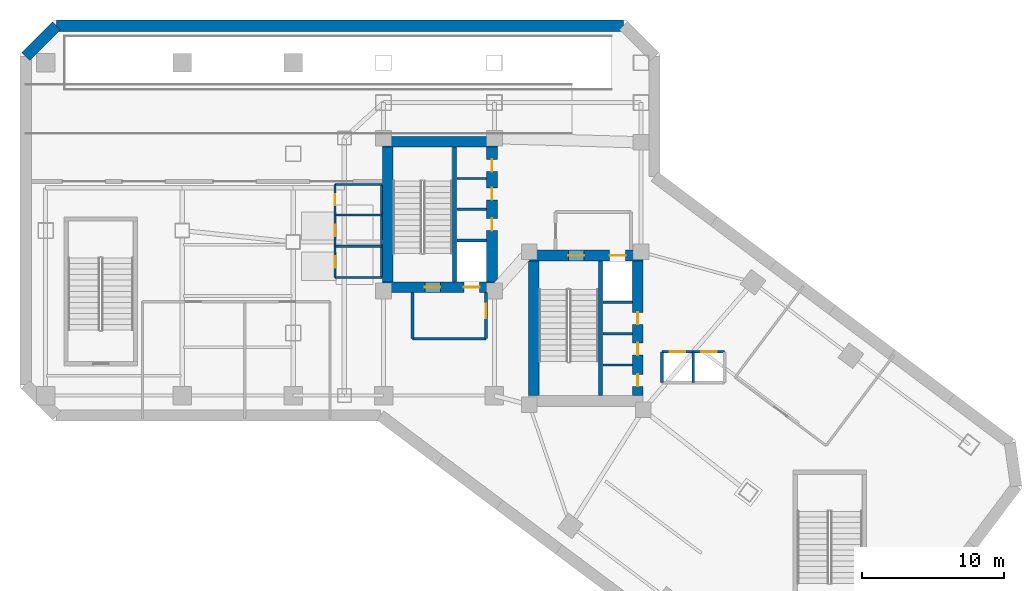
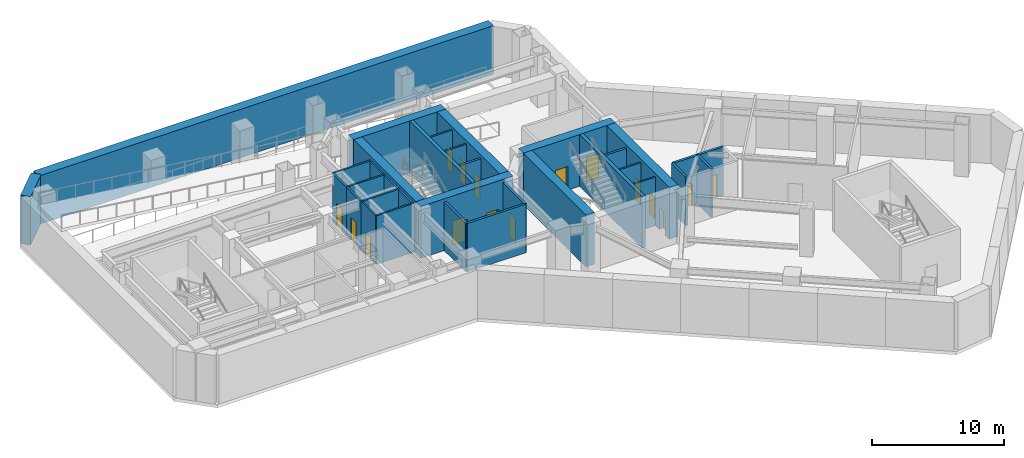
# One storey, part 4 of 9: 31 walls, 16 doors, 16 openings.
"""IFC4 building model written with IfcOpenShell, lengths in metres."""

import ifcopenshell
import ifcopenshell.guid

model = None  # the IFC model being written
_history = None  # IfcOwnerHistory: only IFC2X3 demands one
_inside = {}  # id of a spatial element -> (the spatial element, [elements in it])
_under = {}  # id of a project, library or spatial element -> (it, [spatial elements below it])
_declared = {}  # id of a project -> (the project, [libraries it declares])
_typed = {}  # id of a type object -> (the type object, [elements of that type])
_made_of = {}  # id of a material, layer set ... -> (it, [elements and type objects made of it])


def new_model(schema):
    """Start an empty IFC model of exactly this schema.

    Asked for "IFC4X3", IfcOpenShell would pick the latest addendum, in which some entities
    have other attributes; the version numbers below select the first issue.
    IFC2X3 requires an IfcOwnerHistory on every rooted entity: one is made here for all.
    """
    global model, _history
    if schema == "IFC4X3":
        model = ifcopenshell.file(schema_version=(4, 3, 0, 0))
    else:
        model = ifcopenshell.file(schema=schema)
    _inside.clear()
    _under.clear()
    _declared.clear()
    _typed.clear()
    _made_of.clear()
    _history = None
    if model.schema == "IFC2X3":
        org = make("IfcOrganization", Name="unknown")
        user = make(
            "IfcPersonAndOrganization",
            ThePerson=make("IfcPerson", FamilyName="unknown"),
            TheOrganization=org,
        )
        app = make(
            "IfcApplication",
            ApplicationDeveloper=org,
            Version="unknown",
            ApplicationFullName="unknown",
            ApplicationIdentifier="unknown",
        )
        _history = make(
            "IfcOwnerHistory",
            OwningUser=user,
            OwningApplication=app,
            ChangeAction="ADDED",
            CreationDate=0,
        )
    return model


def make(cls, **values):
    """One entity of the class cls with the attributes given. An attribute that is None is left unset."""
    return model.create_entity(
        cls, **{name: value for name, value in values.items() if value is not None}
    )


def rooted(cls, **values):
    """An entity with a GlobalId (a new one), such as an element, a storey or a relation."""
    return make(cls, GlobalId=ifcopenshell.guid.new(), OwnerHistory=_history, **values)


def si_unit(unit_type, name, prefix=None):
    """IfcSIUnit, for example si_unit("LENGTHUNIT", "METRE", prefix="MILLI")."""
    return make("IfcSIUnit", UnitType=unit_type, Prefix=prefix, Name=name)


def assignment(units):
    """IfcUnitAssignment: the units of a project."""
    return None if units is None else make("IfcUnitAssignment", Units=units)


def point(xyz):
    """IfcCartesianPoint."""
    return None if xyz is None else make("IfcCartesianPoint", Coordinates=xyz)


def direction(xyz):
    """IfcDirection."""
    return None if xyz is None else make("IfcDirection", DirectionRatios=xyz)


def frame(location, z_axis=None, x_axis=None):
    """IfcAxis2Placement3D, a coordinate frame: its origin and axes. An axis left out is left unset."""
    return make(
        "IfcAxis2Placement3D",
        Location=point(location),
        Axis=direction(z_axis),
        RefDirection=direction(x_axis),
    )


def frame_2d(location, x_axis=None):
    """IfcAxis2Placement2D, a coordinate frame in the plane: its origin and x axis."""
    return make(
        "IfcAxis2Placement2D", Location=point(location), RefDirection=direction(x_axis)
    )


def origin():
    """The frame at (0, 0, 0) with its axes left unset."""
    return frame((0.0, 0.0, 0.0))


def place(relative_to, where):
    """IfcLocalPlacement: puts the frame where relative to a parent placement (None: the world)."""
    return make(
        "IfcLocalPlacement", PlacementRelTo=relative_to, RelativePlacement=where
    )


def context(
    kind, dimensions, precision=None, world=None, true_north=None, identifier=None
):
    """IfcGeometricRepresentationContext, for example the 3D "Model" context."""
    return make(
        "IfcGeometricRepresentationContext",
        ContextIdentifier=identifier,
        ContextType=kind,
        CoordinateSpaceDimension=dimensions,
        Precision=precision,
        WorldCoordinateSystem=world,
        TrueNorth=true_north,
    )


def subcontext(parent, identifier, kind, view, scale=None):
    """IfcGeometricRepresentationSubContext, for example "Body" below "Model"."""
    return make(
        "IfcGeometricRepresentationSubContext",
        ContextIdentifier=identifier,
        ContextType=kind,
        ParentContext=parent,
        TargetScale=scale,
        TargetView=view,
    )


def project(units=None, contexts=None):
    """IfcProject with its units and contexts."""
    return rooted(
        "IfcProject",
        Name="project",
        RepresentationContexts=contexts,
        UnitsInContext=assignment(units),
    )


def spatial(cls, under=None, at=None, **own):
    """A site, building, storey or space (cls), placed at a placement, below another one or the project."""
    s = rooted(cls, ObjectPlacement=at, **own)
    if under is not None:
        _under.setdefault(under.id(), (under, []))[1].append(s)
    return s


def profile(cls, at=None, kind="AREA", **sizes):
    """A parametric profile (cls). Its sizes go by their IFC names, for example OverallWidth=200.0."""
    return make(cls, ProfileType=kind, Position=at, **sizes)


def rectangle(**sizes):
    """IfcRectangleProfileDef."""
    return profile("IfcRectangleProfileDef", **sizes)


def extrude(swept, where, along, depth):
    """IfcExtrudedAreaSolid: the profile swept, set in the frame where, extruded along a direction by depth."""
    return make(
        "IfcExtrudedAreaSolid",
        SweptArea=swept,
        Position=where,
        ExtrudedDirection=direction(along),
        Depth=depth,
    )


def shape(context_of_items, identifier, shape_type, items):
    """IfcShapeRepresentation: the items that make up one representation, for example the "Body"."""
    return make(
        "IfcShapeRepresentation",
        ContextOfItems=context_of_items,
        RepresentationIdentifier=identifier,
        RepresentationType=shape_type,
        Items=items,
    )


def material(Name=None, Category=None):
    """IfcMaterial."""
    return make("IfcMaterial", Name=Name, Category=Category)


def layer(
    of_material, thickness, ventilated=None, Name=None, Category=None, Priority=None
):
    """IfcMaterialLayer: one layer of a wall or slab, of a material (None: an air gap)."""
    return make(
        "IfcMaterialLayer",
        Material=of_material,
        LayerThickness=thickness,
        IsVentilated=ventilated,
        Name=Name,
        Category=Category,
        Priority=Priority,
    )


def layer_set(layers, Name=None):
    """IfcMaterialLayerSet."""
    return make("IfcMaterialLayerSet", MaterialLayers=layers, LayerSetName=Name)


def made_of(thing, what):
    """Note that an element or type object is made of a material, layer set ...; save() writes the relation."""
    if what is not None:
        _made_of.setdefault(what.id(), (what, []))[1].append(thing)
    return thing


def type_object(cls, material=None, **own):
    """A type object (cls), such as IfcWallType, which elements share."""
    return made_of(rooted(cls, **own), material)


def element(
    cls,
    number,
    at=None,
    inside=None,
    cuts=None,
    type_object=None,
    material=None,
    context=None,
    identifier="Body",
    shape_type=None,
    held_by="IfcProductDefinitionShape",
    body=None,
    shapes=None,
    **own,
):
    """One element of the class cls, such as IfcWall. Its Tag is "e" and its number.

    at: its placement. inside: the storey or other place that contains it. cuts: it is an
    opening in that element (IfcRelVoidsElement). A single representation is given by context,
    identifier, shape_type and body (its items); several are given by shapes. held_by: the class
    of the entity that holds the representations. save() writes the other relations.
    """
    e = rooted(cls, Tag="e%d" % number, ObjectPlacement=at, **own)
    if body is not None:
        shapes = [shape(context, identifier, shape_type, body)]
    if shapes is not None:
        e.Representation = make(held_by, Representations=shapes)
    if inside is not None:
        _inside.setdefault(inside.id(), (inside, []))[1].append(e)
    if cuts is not None:
        rooted(
            "IfcRelVoidsElement", RelatingBuildingElement=cuts, RelatedOpeningElement=e
        )
    if type_object is not None:
        _typed.setdefault(type_object.id(), (type_object, []))[1].append(e)
    return made_of(e, material)


def fill(opening, filler):
    """IfcRelFillsElement: the door or window that sits in an opening."""
    return rooted(
        "IfcRelFillsElement",
        RelatingOpeningElement=opening,
        RelatedBuildingElement=filler,
    )


def aggregate(whole, parts):
    """IfcRelAggregates: a whole, such as a stair, and the parts it consists of."""
    return rooted("IfcRelAggregates", RelatingObject=whole, RelatedObjects=parts)


def save(model, path):
    """Write the relations noted so far, then the file.

    IfcRelAggregates (storeys below a building ...), IfcRelContainedInSpatialStructure (elements
    in a storey), IfcRelDefinesByType, IfcRelAssociatesMaterial and IfcRelDeclares: one each for
    every whole, place, type object, material and project.
    """
    for whole, parts in _under.values():
        aggregate(whole, parts)
    for where, things in _inside.values():
        rooted(
            "IfcRelContainedInSpatialStructure",
            RelatedElements=things,
            RelatingStructure=where,
        )
    for kind, things in _typed.values():
        rooted("IfcRelDefinesByType", RelatedObjects=things, RelatingType=kind)
    for what, things in _made_of.values():
        rooted("IfcRelAssociatesMaterial", RelatedObjects=things, RelatingMaterial=what)
    for by, libraries in _declared.values():
        rooted("IfcRelDeclares", RelatingContext=by, RelatedDefinitions=libraries)
    model.write(path)


model = new_model("IFC4")

# Units and contexts
model_context = context("Model", 3, precision=1e-05, world=origin(), true_north=direction((0.0, 1.0)))
body_context = subcontext(model_context, "Body", "Model", "MODEL_VIEW")
ifc_project = project(units=[si_unit("LENGTHUNIT", "METRE"), si_unit("AREAUNIT", "SQUARE_METRE"), si_unit("VOLUMEUNIT", "CUBIC_METRE"), si_unit("PLANEANGLEUNIT", "RADIAN"), si_unit("MASSUNIT", "GRAM", prefix="KILO")], contexts=[model_context])

# Site, building, storey
site_placement = place(None, origin())
site = spatial("IfcSite", under=ifc_project, at=site_placement, CompositionType="ELEMENT")
building_placement = place(site_placement, origin())
building = spatial("IfcBuilding", under=site, at=building_placement, Name="Hatsunagi Terrace Concourse", CompositionType="ELEMENT")
storey_placement = place(building_placement, frame((0.0, 0.0, -4.800048828125)))
storey = spatial("IfcBuildingStorey", under=building, at=storey_placement, Name="B01", CompositionType="ELEMENT", Elevation=-4.800048828125)

# Walls
ifc_material_1 = material(Name="Concrete Fc48", Category="concrete")
ifc_layer_1 = layer(ifc_material_1, 0.800048828125)
ifc_layer_set_1 = layer_set([ifc_layer_1], Name="BasementRetainingWall_Fc48_800")
wall_type_1 = type_object("IfcWallType", Name="BasementRetainingWall_Fc48_800", PredefinedType="SHEAR", material=ifc_layer_set_1)
wall_1_placement = place(storey_placement, frame((0.39990234375, 49.033935546875, 0.0), z_axis=(0.0, 0.0, 1.0), x_axis=(0.707106781187, 0.707106781187, 0.0)))
element("IfcWall", 1, at=wall_1_placement, inside=storey, type_object=wall_type_1, Name="Basement Retaining Wall B01-09", PredefinedType="SHEAR", context=body_context, shape_type="SweptSolid", body=[
    extrude(rectangle(XDim=3.063232421875, YDim=0.800048828125, at=frame_2d((1.53173828125, 0.0))), origin(), (0.0, 0.0, 1.0), 4.5),
])
wall_2_placement = place(storey_placement, frame((2.56591796875, 51.199951171875, 0.0), z_axis=(0.0, 0.0, 1.0), x_axis=(1.0, 0.0, 0.0)))
element("IfcWall", 2, at=wall_2_placement, inside=storey, type_object=wall_type_1, Name="Basement Retaining Wall B01-10", PredefinedType="SHEAR", context=body_context, shape_type="SweptSolid", body=[
    extrude(rectangle(XDim=39.8681640625, YDim=0.800048828125, at=frame_2d((19.93408203125, 0.0))), origin(), (0.0, 0.0, 1.0), 4.5),
])

# Wall, openings, doors
ifc_material_2 = material(Name="Concrete Fc60", Category="concrete")
ifc_layer_2 = layer(ifc_material_2, 0.75)
ifc_layer_set_2 = layer_set([ifc_layer_2], Name="CoreShearWall_Fc60_750")
wall_type_2 = type_object("IfcWallType", Name="CoreShearWall_Fc60_750", PredefinedType="SHEAR", material=ifc_layer_set_2)
wall_3_placement = place(storey_placement, frame((25.469970703125, 32.81494140625, 0.0), z_axis=(0.0, 0.0, 1.0), x_axis=(1.0, 0.0, 0.0)))
wall_3 = element("IfcWall", 3, at=wall_3_placement, inside=storey, type_object=wall_type_2, Name="Core A Shear Wall S B01", PredefinedType="SHEAR", context=body_context, shape_type="SweptSolid", body=[
    extrude(rectangle(XDim=8.080078125, YDim=0.75, at=frame_2d((4.0400390625, 0.0))), origin(), (0.0, 0.0, 1.0), 4.800048828125),
])
opening_1_placement = place(wall_3_placement, frame((2.97998046875, 0.0, 0.0)))
opening_1 = element("IfcOpeningElement", 4, at=opening_1_placement, cuts=wall_3, Name="Opening DR-110S", PredefinedType="OPENING", context=body_context, shape_type="SweptSolid", body=[
    extrude(rectangle(XDim=1.10009765625, YDim=2.199951171875, at=frame_2d((0.550048828125, 1.10009765625))), frame((0.0, 0.385009765625, 0.0), z_axis=(0.0, -1.0, 0.0), x_axis=(1.0, 0.0, 0.0)), (0.0, 0.0, 1.0), 0.77001953125),
])
opening_2_placement = place(wall_3_placement, frame((5.72998046875, 0.0, 0.0)))
opening_2 = element("IfcOpeningElement", 5, at=opening_2_placement, cuts=wall_3, Name="Opening LD-01", PredefinedType="OPENING", context=body_context, shape_type="SweptSolid", body=[
    extrude(rectangle(XDim=1.10009765625, YDim=2.14990234375, at=frame_2d((0.550048828125, 1.074951171875))), frame((0.0, 0.385009765625, 0.0), z_axis=(0.0, -1.0, 0.0), x_axis=(1.0, 0.0, 0.0)), (0.0, 0.0, 1.0), 0.77001953125),
])
ifc_material_3 = material(Name="Stainless steel", Category="steel")
door_type_1 = type_object("IfcDoorType", Name="LiftLandingDoor_LD01", OperationType="SLIDING_TO_LEFT", PredefinedType="USERDEFINED", material=ifc_material_3)
door_1_placement = place(opening_2_placement, origin())
door_1 = element("IfcDoor", 6, at=door_1_placement, inside=storey, type_object=door_type_1, Name="Lift landing door FF-01 B01", ObjectType="SLIDING_LANDING_DOOR", OperationType="SLIDING_TO_LEFT", OverallHeight=2.14990234375, OverallWidth=1.10009765625, PredefinedType="USERDEFINED", context=body_context, shape_type="SweptSolid", body=[
    extrude(rectangle(XDim=1.10009765625, YDim=2.14990234375, at=frame_2d((0.550048828125, 1.074951171875))), frame((0.0, 0.02490234375, 0.0), z_axis=(0.0, -1.0, 0.0), x_axis=(1.0, 0.0, 0.0)), (0.0, 0.0, 1.0), 0.050048828125),
])
fill(opening_2, door_1)
ifc_material_4 = material(Name="Painted steel", Category="steel")
door_type_2 = type_object("IfcDoorType", Name="StairFireDoor_EI60_1100", OperationType="NOTDEFINED", PredefinedType="DOOR", material=ifc_material_4)
door_2_placement = place(opening_1_placement, origin())
door_2 = element("IfcDoor", 7, at=door_2_placement, inside=storey, type_object=door_type_2, Name="Stair ST-A Exit Door B01", OperationType="SINGLE_SWING_LEFT", OverallHeight=2.199951171875, OverallWidth=1.10009765625, PredefinedType="DOOR", context=body_context, shape_type="SweptSolid", body=[
    extrude(rectangle(XDim=1.10009765625, YDim=2.199951171875, at=frame_2d((0.550048828125, 1.10009765625))), frame((0.0, 0.02490234375, 0.0), z_axis=(0.0, -1.0, 0.0), x_axis=(1.0, 0.0, 0.0)), (0.0, 0.0, 1.0), 0.050048828125),
])
fill(opening_1, door_2)

# Walls
wall_4_placement = place(storey_placement, frame((25.469970703125, 43.044921875, 0.0), z_axis=(0.0, 0.0, 1.0), x_axis=(1.0, 0.0, 0.0)))
element("IfcWall", 8, at=wall_4_placement, inside=storey, type_object=wall_type_2, Name="Core A Shear Wall N B01", PredefinedType="SHEAR", context=body_context, shape_type="SweptSolid", body=[
    extrude(rectangle(XDim=8.080078125, YDim=0.75, at=frame_2d((4.0400390625, 0.0))), origin(), (0.0, 0.0, 1.0), 4.800048828125),
])
wall_5_placement = place(storey_placement, frame((25.844970703125, 33.18994140625, 0.0), z_axis=(0.0, 0.0, 1.0), x_axis=(0.0, 1.0, 0.0)))
element("IfcWall", 9, at=wall_5_placement, inside=storey, type_object=wall_type_2, Name="Core A Shear Wall W B01", PredefinedType="SHEAR", context=body_context, shape_type="SweptSolid", body=[
    extrude(rectangle(XDim=9.47998046875, YDim=0.75, at=frame_2d((4.739990234375, 0.0))), origin(), (0.0, 0.0, 1.0), 4.800048828125),
])

# Wall, openings, doors
wall_6_placement = place(storey_placement, frame((33.175048828125, 33.18994140625, 0.0), z_axis=(0.0, 0.0, 1.0), x_axis=(0.0, 1.0, 0.0)))
wall_6 = element("IfcWall", 10, at=wall_6_placement, inside=storey, type_object=wall_type_2, Name="Core A Shear Wall E B01", PredefinedType="SHEAR", context=body_context, shape_type="SweptSolid", body=[
    extrude(rectangle(XDim=9.47998046875, YDim=0.75, at=frame_2d((4.739990234375, 0.0))), origin(), (0.0, 0.0, 1.0), 4.800048828125),
])
opening_3_placement = place(wall_6_placement, frame((3.610107421875, 0.0, 0.0)))
opening_3 = element("IfcOpeningElement", 11, at=opening_3_placement, cuts=wall_6, Name="Opening DR-085", PredefinedType="OPENING", context=body_context, shape_type="SweptSolid", body=[
    extrude(rectangle(XDim=0.85009765625, YDim=2.080078125, at=frame_2d((0.425048828125, 1.0400390625))), frame((0.0, 0.385009765625, 0.0), z_axis=(0.0, -1.0, 0.0), x_axis=(1.0, 0.0, 0.0)), (0.0, 0.0, 1.0), 0.77001953125),
])
opening_4_placement = place(wall_6_placement, frame((5.760009765625, 0.0, 0.0)))
opening_4 = element("IfcOpeningElement", 12, at=opening_4_placement, cuts=wall_6, Name="Opening DR-085", PredefinedType="OPENING", context=body_context, shape_type="SweptSolid", body=[
    extrude(rectangle(XDim=0.85009765625, YDim=2.080078125, at=frame_2d((0.425048828125, 1.0400390625))), frame((0.0, 0.385009765625, 0.0), z_axis=(0.0, -1.0, 0.0), x_axis=(1.0, 0.0, 0.0)), (0.0, 0.0, 1.0), 0.77001953125),
])
opening_5_placement = place(wall_6_placement, frame((7.760009765625, 0.0, 0.0)))
opening_5 = element("IfcOpeningElement", 13, at=opening_5_placement, cuts=wall_6, Name="Opening DR-085", PredefinedType="OPENING", context=body_context, shape_type="SweptSolid", body=[
    extrude(rectangle(XDim=0.85009765625, YDim=2.080078125, at=frame_2d((0.425048828125, 1.0400390625))), frame((0.0, 0.385009765625, 0.0), z_axis=(0.0, -1.0, 0.0), x_axis=(1.0, 0.0, 0.0)), (0.0, 0.0, 1.0), 0.77001953125),
])
ifc_material_5 = material(Name="Painted steel", Category="steel")
door_type_3 = type_object("IfcDoorType", Name="RiserAccessDoor_EI60_850", OperationType="NOTDEFINED", PredefinedType="DOOR", material=ifc_material_5)
door_3_placement = place(opening_3_placement, origin())
door_3 = element("IfcDoor", 14, at=door_3_placement, inside=storey, type_object=door_type_3, Name="Core A Riser Door B01-1", OperationType="SINGLE_SWING_LEFT", OverallHeight=2.080078125, OverallWidth=0.85009765625, PredefinedType="DOOR", context=body_context, shape_type="SweptSolid", body=[
    extrude(rectangle(XDim=0.85009765625, YDim=2.080078125, at=frame_2d((0.425048828125, 1.0400390625))), frame((0.0, 0.02490234375, 0.0), z_axis=(0.0, -1.0, 0.0), x_axis=(1.0, 0.0, 0.0)), (0.0, 0.0, 1.0), 0.050048828125),
])
fill(opening_3, door_3)
door_4_placement = place(opening_4_placement, origin())
door_4 = element("IfcDoor", 15, at=door_4_placement, inside=storey, type_object=door_type_3, Name="Core A Riser Door B01-2", OperationType="SINGLE_SWING_LEFT", OverallHeight=2.080078125, OverallWidth=0.85009765625, PredefinedType="DOOR", context=body_context, shape_type="SweptSolid", body=[
    extrude(rectangle(XDim=0.85009765625, YDim=2.080078125, at=frame_2d((0.425048828125, 1.0400390625))), frame((0.0, 0.02490234375, 0.0), z_axis=(0.0, -1.0, 0.0), x_axis=(1.0, 0.0, 0.0)), (0.0, 0.0, 1.0), 0.050048828125),
])
fill(opening_4, door_4)
door_5_placement = place(opening_5_placement, origin())
door_5 = element("IfcDoor", 16, at=door_5_placement, inside=storey, type_object=door_type_3, Name="Core A Riser Door B01-3", OperationType="SINGLE_SWING_LEFT", OverallHeight=2.080078125, OverallWidth=0.85009765625, PredefinedType="DOOR", context=body_context, shape_type="SweptSolid", body=[
    extrude(rectangle(XDim=0.85009765625, YDim=2.080078125, at=frame_2d((0.425048828125, 1.0400390625))), frame((0.0, 0.02490234375, 0.0), z_axis=(0.0, -1.0, 0.0), x_axis=(1.0, 0.0, 0.0)), (0.0, 0.0, 1.0), 0.050048828125),
])
fill(opening_5, door_5)

wall_7_placement = place(storey_placement, frame((35.739990234375, 35.044921875, 0.0), z_axis=(0.0, 0.0, 1.0), x_axis=(1.0, 0.0, 0.0)))
wall_7 = element("IfcWall", 17, at=wall_7_placement, inside=storey, type_object=wall_type_2, Name="Core B Shear Wall N B01", PredefinedType="SHEAR", context=body_context, shape_type="SweptSolid", body=[
    extrude(rectangle(XDim=8.06005859375, YDim=0.75, at=frame_2d((4.030029296875, 0.0))), origin(), (0.0, 0.0, 1.0), 4.800048828125),
])
opening_6_placement = place(wall_7_placement, frame((2.81005859375, 0.0, 0.0)))
opening_6 = element("IfcOpeningElement", 18, at=opening_6_placement, cuts=wall_7, Name="Opening DR-110S", PredefinedType="OPENING", context=body_context, shape_type="SweptSolid", body=[
    extrude(rectangle(XDim=1.10009765625, YDim=2.199951171875, at=frame_2d((0.550048828125, 1.10009765625))), frame((0.0, 0.385009765625, 0.0), z_axis=(0.0, -1.0, 0.0), x_axis=(1.0, 0.0, 0.0)), (0.0, 0.0, 1.0), 0.77001953125),
])
opening_7_placement = place(wall_7_placement, frame((5.7099609375, 0.0, 0.0)))
opening_7 = element("IfcOpeningElement", 19, at=opening_7_placement, cuts=wall_7, Name="Opening LD-02", PredefinedType="OPENING", context=body_context, shape_type="SweptSolid", body=[
    extrude(rectangle(XDim=1.1201171875, YDim=2.14990234375, at=frame_2d((0.56005859375, 1.074951171875))), frame((0.0, 0.385009765625, 0.0), z_axis=(0.0, -1.0, 0.0), x_axis=(1.0, 0.0, 0.0)), (0.0, 0.0, 1.0), 0.77001953125),
])
ifc_material_6 = material(Name="Stainless steel", Category="steel")
door_type_4 = type_object("IfcDoorType", Name="LiftLandingDoor_LD02", OperationType="SLIDING_TO_RIGHT", PredefinedType="USERDEFINED", material=ifc_material_6)
door_6_placement = place(opening_7_placement, origin())
door_6 = element("IfcDoor", 20, at=door_6_placement, inside=storey, type_object=door_type_4, Name="Lift landing door FF-02 B01", ObjectType="SLIDING_LANDING_DOOR", OperationType="SLIDING_TO_RIGHT", OverallHeight=2.14990234375, OverallWidth=1.1201171875, PredefinedType="USERDEFINED", context=body_context, shape_type="SweptSolid", body=[
    extrude(rectangle(XDim=1.1201171875, YDim=2.14990234375, at=frame_2d((0.56005859375, 1.074951171875))), frame((0.0, 0.02490234375, 0.0), z_axis=(0.0, -1.0, 0.0), x_axis=(1.0, 0.0, 0.0)), (0.0, 0.0, 1.0), 0.050048828125),
])
fill(opening_7, door_6)
door_7_placement = place(opening_6_placement, origin())
door_7 = element("IfcDoor", 21, at=door_7_placement, inside=storey, type_object=door_type_2, Name="Stair ST-B Exit Door B01", OperationType="SINGLE_SWING_RIGHT", OverallHeight=2.199951171875, OverallWidth=1.10009765625, PredefinedType="DOOR", context=body_context, shape_type="SweptSolid", body=[
    extrude(rectangle(XDim=1.10009765625, YDim=2.199951171875, at=frame_2d((0.550048828125, 1.10009765625))), frame((0.0, 0.02490234375, 0.0), z_axis=(0.0, -1.0, 0.0), x_axis=(1.0, 0.0, 0.0)), (0.0, 0.0, 1.0), 0.050048828125),
])
fill(opening_6, door_7)

# Wall
wall_8_placement = place(storey_placement, frame((36.114990234375, 25.18994140625, 0.0), z_axis=(0.0, 0.0, 1.0), x_axis=(0.0, 1.0, 0.0)))
element("IfcWall", 22, at=wall_8_placement, inside=storey, type_object=wall_type_2, Name="Core B Shear Wall W B01", PredefinedType="SHEAR", context=body_context, shape_type="SweptSolid", body=[
    extrude(rectangle(XDim=9.47998046875, YDim=0.75, at=frame_2d((4.739990234375, 0.0))), origin(), (0.0, 0.0, 1.0), 4.800048828125),
])

# Wall, openings, doors
wall_9_placement = place(storey_placement, frame((43.425048828125, 25.18994140625, 0.0), z_axis=(0.0, 0.0, 1.0), x_axis=(0.0, 1.0, 0.0)))
wall_9 = element("IfcWall", 23, at=wall_9_placement, inside=storey, type_object=wall_type_2, Name="Core B Shear Wall E B01", PredefinedType="SHEAR", context=body_context, shape_type="SweptSolid", body=[
    extrude(rectangle(XDim=9.47998046875, YDim=0.75, at=frame_2d((4.739990234375, 0.0))), origin(), (0.0, 0.0, 1.0), 4.800048828125),
])
opening_8_placement = place(wall_9_placement, frame((0.659912109375, 0.0, 0.0)))
opening_8 = element("IfcOpeningElement", 24, at=opening_8_placement, cuts=wall_9, Name="Opening DR-085", PredefinedType="OPENING", context=body_context, shape_type="SweptSolid", body=[
    extrude(rectangle(XDim=0.85009765625, YDim=2.080078125, at=frame_2d((0.425048828125, 1.0400390625))), frame((0.0, 0.385009765625, 0.0), z_axis=(0.0, -1.0, 0.0), x_axis=(1.0, 0.0, 0.0)), (0.0, 0.0, 1.0), 0.77001953125),
])
opening_9_placement = place(wall_9_placement, frame((2.860107421875, 0.0, 0.0)))
opening_9 = element("IfcOpeningElement", 25, at=opening_9_placement, cuts=wall_9, Name="Opening DR-085", PredefinedType="OPENING", context=body_context, shape_type="SweptSolid", body=[
    extrude(rectangle(XDim=0.85009765625, YDim=2.080078125, at=frame_2d((0.425048828125, 1.0400390625))), frame((0.0, 0.385009765625, 0.0), z_axis=(0.0, -1.0, 0.0), x_axis=(1.0, 0.0, 0.0)), (0.0, 0.0, 1.0), 0.77001953125),
])
opening_10_placement = place(wall_9_placement, frame((5.010009765625, 0.0, 0.0)))
opening_10 = element("IfcOpeningElement", 26, at=opening_10_placement, cuts=wall_9, Name="Opening DR-085", PredefinedType="OPENING", context=body_context, shape_type="SweptSolid", body=[
    extrude(rectangle(XDim=0.85009765625, YDim=2.080078125, at=frame_2d((0.425048828125, 1.0400390625))), frame((0.0, 0.385009765625, 0.0), z_axis=(0.0, -1.0, 0.0), x_axis=(1.0, 0.0, 0.0)), (0.0, 0.0, 1.0), 0.77001953125),
])
door_8_placement = place(opening_8_placement, origin())
door_8 = element("IfcDoor", 27, at=door_8_placement, inside=storey, type_object=door_type_3, Name="Core B Riser Door B01-1", OperationType="SINGLE_SWING_RIGHT", OverallHeight=2.080078125, OverallWidth=0.85009765625, PredefinedType="DOOR", context=body_context, shape_type="SweptSolid", body=[
    extrude(rectangle(XDim=0.85009765625, YDim=2.080078125, at=frame_2d((0.425048828125, 1.0400390625))), frame((0.0, 0.02490234375, 0.0), z_axis=(0.0, -1.0, 0.0), x_axis=(1.0, 0.0, 0.0)), (0.0, 0.0, 1.0), 0.050048828125),
])
fill(opening_8, door_8)
door_9_placement = place(opening_9_placement, origin())
door_9 = element("IfcDoor", 28, at=door_9_placement, inside=storey, type_object=door_type_3, Name="Core B Riser Door B01-2", OperationType="SINGLE_SWING_RIGHT", OverallHeight=2.080078125, OverallWidth=0.85009765625, PredefinedType="DOOR", context=body_context, shape_type="SweptSolid", body=[
    extrude(rectangle(XDim=0.85009765625, YDim=2.080078125, at=frame_2d((0.425048828125, 1.0400390625))), frame((0.0, 0.02490234375, 0.0), z_axis=(0.0, -1.0, 0.0), x_axis=(1.0, 0.0, 0.0)), (0.0, 0.0, 1.0), 0.050048828125),
])
fill(opening_9, door_9)
door_10_placement = place(opening_10_placement, origin())
door_10 = element("IfcDoor", 29, at=door_10_placement, inside=storey, type_object=door_type_3, Name="Core B Riser Door B01-3", OperationType="SINGLE_SWING_RIGHT", OverallHeight=2.080078125, OverallWidth=0.85009765625, PredefinedType="DOOR", context=body_context, shape_type="SweptSolid", body=[
    extrude(rectangle(XDim=0.85009765625, YDim=2.080078125, at=frame_2d((0.425048828125, 1.0400390625))), frame((0.0, 0.02490234375, 0.0), z_axis=(0.0, -1.0, 0.0), x_axis=(1.0, 0.0, 0.0)), (0.0, 0.0, 1.0), 0.050048828125),
])
fill(opening_10, door_10)

# Walls
ifc_material_7 = material(Name="Concrete Fc48", Category="concrete")
ifc_layer_3 = layer(ifc_material_7, 0.300048828125)
ifc_layer_set_3 = layer_set([ifc_layer_3], Name="CoreStairDivider_Fc48_300")
wall_type_3 = type_object("IfcWallType", Name="CoreStairDivider_Fc48_300", PredefinedType="SHEAR", material=ifc_layer_set_3)
for number, where, z_axis, x_axis, name in (
    (30, (30.5400390625, 33.18994140625, 0.0), (0.0, 0.0, 1.0), (0.0, 1.0, 0.0), "Core A Shear Wall D B01"),
    (31, (40.81005859375, 25.18994140625, 0.0), (0.0, 0.0, 1.0), (0.0, 1.0, 0.0), "Core B Shear Wall D B01"),
):
    element("IfcWall", number, at=place(storey_placement, frame(where, z_axis=z_axis, x_axis=x_axis)), inside=storey, type_object=wall_type_3, Name=name, PredefinedType="SHEAR", context=body_context, shape_type="SweptSolid", body=[
        extrude(rectangle(XDim=9.47998046875, YDim=0.300048828125, at=frame_2d((4.739990234375, 0.0))), origin(), (0.0, 0.0, 1.0), 4.800048828125),
    ])
ifc_material_8 = material(Name="Acoustic mineral board", Category="gypsum")
ifc_layer_4 = layer(ifc_material_8, 0.14990234375)
ifc_layer_set_4 = layer_set([ifc_layer_4], Name="PartitionWall_EI60_150")
wall_type_4 = type_object("IfcWallType", Name="PartitionWall_EI60_150", PredefinedType="PARTITIONING", material=ifc_layer_set_4)
for number, where, z_axis, x_axis, name in (
    (32, (30.699951171875, 38.300048828125, 0.0), (0.0, 0.0, 1.0), (1.0, 0.0, 0.0), "Interior Partition IW-B01-002"),
    (33, (30.699951171875, 40.449951171875, 0.0), (0.0, 0.0, 1.0), (1.0, 0.0, 0.0), "Interior Partition IW-B01-003"),
):
    element("IfcWall", number, at=place(storey_placement, frame(where, z_axis=z_axis, x_axis=x_axis)), inside=storey, type_object=wall_type_4, Name=name, PredefinedType="PARTITIONING", context=body_context, shape_type="SweptSolid", body=[
        extrude(rectangle(XDim=2.10009765625, YDim=0.14990234375, at=frame_2d((1.050048828125, 0.0))), origin(), (0.0, 0.0, 1.0), 4.5),
    ])
for number, where, z_axis, x_axis, name in (
    (34, (40.969970703125, 27.35009765625, 0.0), (0.0, 0.0, 1.0), (1.0, 0.0, 0.0), "Interior Partition IW-B01-005"),
    (35, (40.969970703125, 29.550048828125, 0.0), (0.0, 0.0, 1.0), (1.0, 0.0, 0.0), "Interior Partition IW-B01-006"),
):
    element("IfcWall", number, at=place(storey_placement, frame(where, z_axis=z_axis, x_axis=x_axis)), inside=storey, type_object=wall_type_4, Name=name, PredefinedType="PARTITIONING", context=body_context, shape_type="SweptSolid", body=[
        extrude(rectangle(XDim=2.080078125, YDim=0.14990234375, at=frame_2d((1.0400390625, 0.0))), origin(), (0.0, 0.0, 1.0), 4.5),
    ])
for number, where, z_axis, x_axis, name in (
    (36, (22.14990234375, 33.5, 0.0), (0.0, 0.0, 1.0), (1.0, 0.0, 0.0), "Interior Partition IW-B01-018"),
    (37, (22.14990234375, 40.030029296875, 0.0), (0.0, 0.0, 1.0), (1.0, 0.0, 0.0), "Interior Partition IW-B01-019"),
):
    element("IfcWall", number, at=place(storey_placement, frame(where, z_axis=z_axis, x_axis=x_axis)), inside=storey, type_object=wall_type_4, Name=name, PredefinedType="PARTITIONING", context=body_context, shape_type="SweptSolid", body=[
        extrude(rectangle(XDim=3.300048828125, YDim=0.14990234375, at=frame_2d((1.64990234375, 0.0))), origin(), (0.0, 0.0, 1.0), 4.5),
    ])
wall_10_placement = place(storey_placement, frame((25.39990234375, 33.5, 0.0), z_axis=(0.0, 0.0, 1.0), x_axis=(0.0, 1.0, 0.0)))
element("IfcWall", 38, at=wall_10_placement, inside=storey, type_object=wall_type_4, Name="Interior Partition IW-B01-020", PredefinedType="PARTITIONING", context=body_context, shape_type="SweptSolid", body=[
    extrude(rectangle(XDim=6.530029296875, YDim=0.14990234375, at=frame_2d((3.26513671875, 0.0))), origin(), (0.0, 0.0, 1.0), 4.5),
])
for number, where, z_axis, x_axis, name in (
    (39, (22.14990234375, 35.699951171875, 0.0), (0.0, 0.0, 1.0), (1.0, 0.0, 0.0), "Interior Partition IW-B01-021"),
    (40, (22.14990234375, 37.89990234375, 0.0), (0.0, 0.0, 1.0), (1.0, 0.0, 0.0), "Interior Partition IW-B01-022"),
):
    element("IfcWall", number, at=place(storey_placement, frame(where, z_axis=z_axis, x_axis=x_axis)), inside=storey, type_object=wall_type_4, Name=name, PredefinedType="PARTITIONING", context=body_context, shape_type="SweptSolid", body=[
        extrude(rectangle(XDim=3.300048828125, YDim=0.14990234375, at=frame_2d((1.64990234375, 0.0))), origin(), (0.0, 0.0, 1.0), 4.5),
    ])

# Wall, opening, door
wall_11_placement = place(storey_placement, frame((22.14990234375, 33.5, 0.0), z_axis=(0.0, 0.0, 1.0), x_axis=(0.0, 1.0, 0.0)))
wall_11 = element("IfcWall", 41, at=wall_11_placement, inside=storey, type_object=wall_type_4, Name="Interior Partition IW-B01-023", PredefinedType="PARTITIONING", context=body_context, shape_type="SweptSolid", body=[
    extrude(rectangle(XDim=2.199951171875, YDim=0.14990234375, at=frame_2d((1.10009765625, 0.0))), origin(), (0.0, 0.0, 1.0), 4.5),
])
opening_11_placement = place(wall_11_placement, frame((0.699951171875, 0.0, 0.0)))
opening_11 = element("IfcOpeningElement", 42, at=opening_11_placement, cuts=wall_11, Name="Opening DR-080", PredefinedType="OPENING", context=body_context, shape_type="SweptSolid", body=[
    extrude(rectangle(XDim=0.800048828125, YDim=2.06005859375, at=frame_2d((0.39990234375, 1.030029296875))), frame((0.0, 0.0849609375, 0.0), z_axis=(0.0, -1.0, 0.0), x_axis=(1.0, 0.0, 0.0)), (0.0, 0.0, 1.0), 0.169921875),
])
ifc_material_9 = material(Name="Hardwood timber", Category="wood")
door_type_5 = type_object("IfcDoorType", Name="BathroomDoor_800", OperationType="NOTDEFINED", PredefinedType="DOOR", material=ifc_material_9)
door_11_placement = place(opening_11_placement, origin())
door_11 = element("IfcDoor", 43, at=door_11_placement, inside=storey, type_object=door_type_5, Name="Accessible WC Door B01", OperationType="SINGLE_SWING_RIGHT", OverallHeight=2.06005859375, OverallWidth=0.800048828125, PredefinedType="DOOR", context=body_context, shape_type="SweptSolid", body=[
    extrude(rectangle(XDim=0.800048828125, YDim=2.06005859375, at=frame_2d((0.39990234375, 1.030029296875))), frame((0.0, 0.02490234375, 0.0), z_axis=(0.0, -1.0, 0.0), x_axis=(1.0, 0.0, 0.0)), (0.0, 0.0, 1.0), 0.050048828125),
])
fill(opening_11, door_11)

wall_12_placement = place(storey_placement, frame((22.14990234375, 35.699951171875, 0.0), z_axis=(0.0, 0.0, 1.0), x_axis=(0.0, 1.0, 0.0)))
wall_12 = element("IfcWall", 44, at=wall_12_placement, inside=storey, type_object=wall_type_4, Name="Interior Partition IW-B01-024", PredefinedType="PARTITIONING", context=body_context, shape_type="SweptSolid", body=[
    extrude(rectangle(XDim=2.199951171875, YDim=0.14990234375, at=frame_2d((1.10009765625, 0.0))), origin(), (0.0, 0.0, 1.0), 4.5),
])
opening_12_placement = place(wall_12_placement, frame((0.699951171875, 0.0, 0.0)))
opening_12 = element("IfcOpeningElement", 45, at=opening_12_placement, cuts=wall_12, Name="Opening DR-080", PredefinedType="OPENING", context=body_context, shape_type="SweptSolid", body=[
    extrude(rectangle(XDim=0.800048828125, YDim=2.06005859375, at=frame_2d((0.39990234375, 1.030029296875))), frame((0.0, 0.0849609375, 0.0), z_axis=(0.0, -1.0, 0.0), x_axis=(1.0, 0.0, 0.0)), (0.0, 0.0, 1.0), 0.169921875),
])
door_12_placement = place(opening_12_placement, origin())
door_12 = element("IfcDoor", 46, at=door_12_placement, inside=storey, type_object=door_type_5, Name="Female Restroom Door B01", OperationType="SINGLE_SWING_RIGHT", OverallHeight=2.06005859375, OverallWidth=0.800048828125, PredefinedType="DOOR", context=body_context, shape_type="SweptSolid", body=[
    extrude(rectangle(XDim=0.800048828125, YDim=2.06005859375, at=frame_2d((0.39990234375, 1.030029296875))), frame((0.0, 0.02490234375, 0.0), z_axis=(0.0, -1.0, 0.0), x_axis=(1.0, 0.0, 0.0)), (0.0, 0.0, 1.0), 0.050048828125),
])
fill(opening_12, door_12)

wall_13_placement = place(storey_placement, frame((22.14990234375, 37.89990234375, 0.0), z_axis=(0.0, 0.0, 1.0), x_axis=(0.0, 1.0, 0.0)))
wall_13 = element("IfcWall", 47, at=wall_13_placement, inside=storey, type_object=wall_type_4, Name="Interior Partition IW-B01-025", PredefinedType="PARTITIONING", context=body_context, shape_type="SweptSolid", body=[
    extrude(rectangle(XDim=2.130126953125, YDim=0.14990234375, at=frame_2d((1.06494140625, 0.0))), origin(), (0.0, 0.0, 1.0), 4.5),
])
opening_13_placement = place(wall_13_placement, frame((0.6650390625, 0.0, 0.0)))
opening_13 = element("IfcOpeningElement", 48, at=opening_13_placement, cuts=wall_13, Name="Opening DR-080", PredefinedType="OPENING", context=body_context, shape_type="SweptSolid", body=[
    extrude(rectangle(XDim=0.800048828125, YDim=2.06005859375, at=frame_2d((0.39990234375, 1.030029296875))), frame((0.0, 0.0849609375, 0.0), z_axis=(0.0, -1.0, 0.0), x_axis=(1.0, 0.0, 0.0)), (0.0, 0.0, 1.0), 0.169921875),
])
door_13_placement = place(opening_13_placement, origin())
door_13 = element("IfcDoor", 49, at=door_13_placement, inside=storey, type_object=door_type_5, Name="Male Restroom Door B01", OperationType="SINGLE_SWING_RIGHT", OverallHeight=2.06005859375, OverallWidth=0.800048828125, PredefinedType="DOOR", context=body_context, shape_type="SweptSolid", body=[
    extrude(rectangle(XDim=0.800048828125, YDim=2.06005859375, at=frame_2d((0.39990234375, 1.030029296875))), frame((0.0, 0.02490234375, 0.0), z_axis=(0.0, -1.0, 0.0), x_axis=(1.0, 0.0, 0.0)), (0.0, 0.0, 1.0), 0.050048828125),
])
fill(opening_13, door_13)

# Walls
ifc_material_10 = material(Name="Acoustic mineral board", Category="gypsum")
ifc_layer_5 = layer(ifc_material_10, 0.199951171875)
ifc_layer_set_5 = layer_set([ifc_layer_5], Name="ShaftWall_EI120_200")
wall_type_5 = type_object("IfcWallType", Name="ShaftWall_EI120_200", PredefinedType="STANDARD", material=ifc_layer_set_5)
wall_14_placement = place(storey_placement, frame((30.699951171875, 36.10009765625, 0.0), z_axis=(0.0, 0.0, 1.0), x_axis=(1.0, 0.0, 0.0)))
element("IfcWall", 50, at=wall_14_placement, inside=storey, type_object=wall_type_5, Name="Interior Partition IW-B01-001", PredefinedType="STANDARD", context=body_context, shape_type="SweptSolid", body=[
    extrude(rectangle(XDim=2.10009765625, YDim=0.199951171875, at=frame_2d((1.050048828125, 0.0))), origin(), (0.0, 0.0, 1.0), 4.5),
])
wall_15_placement = place(storey_placement, frame((40.969970703125, 31.760009765625, 0.0), z_axis=(0.0, 0.0, 1.0), x_axis=(1.0, 0.0, 0.0)))
element("IfcWall", 51, at=wall_15_placement, inside=storey, type_object=wall_type_5, Name="Interior Partition IW-B01-004", PredefinedType="STANDARD", context=body_context, shape_type="SweptSolid", body=[
    extrude(rectangle(XDim=2.080078125, YDim=0.199951171875, at=frame_2d((1.0400390625, 0.0))), origin(), (0.0, 0.0, 1.0), 4.5),
])
wall_16_placement = place(storey_placement, frame((27.60009765625, 29.199951171875, 0.0), z_axis=(0.0, 0.0, 1.0), x_axis=(1.0, 0.0, 0.0)))
element("IfcWall", 52, at=wall_16_placement, inside=storey, type_object=wall_type_5, Name="Interior Partition IW-B01-007", PredefinedType="STANDARD", context=body_context, shape_type="SweptSolid", body=[
    extrude(rectangle(XDim=5.14990234375, YDim=0.199951171875, at=frame_2d((2.574951171875, 0.0))), origin(), (0.0, 0.0, 1.0), 4.5),
])
wall_17_placement = place(storey_placement, frame((27.60009765625, 29.199951171875, 0.0), z_axis=(0.0, 0.0, 1.0), x_axis=(0.0, 1.0, 0.0)))
element("IfcWall", 53, at=wall_17_placement, inside=storey, type_object=wall_type_5, Name="Interior Partition IW-B01-008", PredefinedType="STANDARD", context=body_context, shape_type="SweptSolid", body=[
    extrude(rectangle(XDim=3.239990234375, YDim=0.199951171875, at=frame_2d((1.6201171875, 0.0))), origin(), (0.0, 0.0, 1.0), 4.5),
])

# Wall, opening, door
wall_18_placement = place(storey_placement, frame((32.75, 29.199951171875, 0.0), z_axis=(0.0, 0.0, 1.0), x_axis=(0.0, 1.0, 0.0)))
wall_18 = element("IfcWall", 54, at=wall_18_placement, inside=storey, type_object=wall_type_5, Name="Interior Partition IW-B01-009", PredefinedType="STANDARD", context=body_context, shape_type="SweptSolid", body=[
    extrude(rectangle(XDim=3.239990234375, YDim=0.199951171875, at=frame_2d((1.6201171875, 0.0))), origin(), (0.0, 0.0, 1.0), 4.5),
])
opening_14_placement = place(wall_18_placement, frame((1.449951171875, 0.0, 0.0)))
opening_14 = element("IfcOpeningElement", 55, at=opening_14_placement, cuts=wall_18, Name="Opening DR-100F", PredefinedType="OPENING", context=body_context, shape_type="SweptSolid", body=[
    extrude(rectangle(XDim=1.0, YDim=2.199951171875, at=frame_2d((0.5, 1.10009765625))), frame((0.0, 0.10986328125, 0.0), z_axis=(0.0, -1.0, 0.0), x_axis=(1.0, 0.0, 0.0)), (0.0, 0.0, 1.0), 0.219970703125),
])
ifc_material_11 = material(Name="Painted steel", Category="steel")
door_type_6 = type_object("IfcDoorType", Name="FireDoor_EI60_1000", OperationType="NOTDEFINED", PredefinedType="DOOR", material=ifc_material_11)
door_14_placement = place(opening_14_placement, origin())
door_14 = element("IfcDoor", 56, at=door_14_placement, inside=storey, type_object=door_type_6, Name="Firefighting Lobby A Door B01", OperationType="SINGLE_SWING_RIGHT", OverallHeight=2.199951171875, OverallWidth=1.0, PredefinedType="DOOR", context=body_context, shape_type="SweptSolid", body=[
    extrude(rectangle(XDim=1.0, YDim=2.199951171875, at=frame_2d((0.5, 1.10009765625))), frame((0.0, 0.02490234375, 0.0), z_axis=(0.0, -1.0, 0.0), x_axis=(1.0, 0.0, 0.0)), (0.0, 0.0, 1.0), 0.050048828125),
])
fill(opening_14, door_14)

# Walls
for number, where, z_axis, x_axis, name in (
    (57, (45.1201171875, 26.1201171875, 0.0), (0.0, 0.0, 1.0), (0.0, 1.0, 0.0), "Interior Partition IW-B01-014"),
    (58, (47.320068359375, 26.1201171875, 0.0), (0.0, 0.0, 1.0), (0.0, 1.0, 0.0), "Interior Partition IW-B01-016"),
):
    element("IfcWall", number, at=place(storey_placement, frame(where, z_axis=z_axis, x_axis=x_axis)), inside=storey, type_object=wall_type_5, Name=name, PredefinedType="STANDARD", context=body_context, shape_type="SweptSolid", body=[
        extrude(rectangle(XDim=2.159912109375, YDim=0.199951171875, at=frame_2d((1.080078125, 0.0))), origin(), (0.0, 0.0, 1.0), 4.5),
    ])

# Wall, openings, doors
wall_19_placement = place(storey_placement, frame((45.1201171875, 28.280029296875, 0.0), z_axis=(0.0, 0.0, 1.0), x_axis=(1.0, 0.0, 0.0)))
wall_19 = element("IfcWall", 59, at=wall_19_placement, inside=storey, type_object=wall_type_5, Name="Interior Partition IW-B01-017", PredefinedType="STANDARD", context=body_context, shape_type="SweptSolid", body=[
    extrude(rectangle(XDim=4.39990234375, YDim=0.199951171875, at=frame_2d((2.199951171875, 0.0))), origin(), (0.0, 0.0, 1.0), 4.5),
])
opening_15_placement = place(wall_19_placement, frame((0.56005859375, 0.0, 0.0)))
opening_15 = element("IfcOpeningElement", 60, at=opening_15_placement, cuts=wall_19, Name="Opening LD-03", PredefinedType="OPENING", context=body_context, shape_type="SweptSolid", body=[
    extrude(rectangle(XDim=1.080078125, YDim=2.14990234375, at=frame_2d((0.5400390625, 1.074951171875))), frame((0.0, 0.10986328125, 0.0), z_axis=(0.0, -1.0, 0.0), x_axis=(1.0, 0.0, 0.0)), (0.0, 0.0, 1.0), 0.219970703125),
])
opening_16_placement = place(wall_19_placement, frame((2.760009765625, 0.0, 0.0)))
opening_16 = element("IfcOpeningElement", 61, at=opening_16_placement, cuts=wall_19, Name="Opening LD-03", PredefinedType="OPENING", context=body_context, shape_type="SweptSolid", body=[
    extrude(rectangle(XDim=1.080078125, YDim=2.14990234375, at=frame_2d((0.5400390625, 1.074951171875))), frame((0.0, 0.10986328125, 0.0), z_axis=(0.0, -1.0, 0.0), x_axis=(1.0, 0.0, 0.0)), (0.0, 0.0, 1.0), 0.219970703125),
])
ifc_material_12 = material(Name="Stainless steel", Category="steel")
door_type_7 = type_object("IfcDoorType", Name="LiftLandingDoor_LD03", OperationType="SLIDING_TO_LEFT", PredefinedType="USERDEFINED", material=ifc_material_12)
door_15_placement = place(opening_15_placement, origin())
door_15 = element("IfcDoor", 62, at=door_15_placement, inside=storey, type_object=door_type_7, Name="Lift landing door PL-09 B01", ObjectType="SLIDING_LANDING_DOOR", OperationType="SLIDING_TO_LEFT", OverallHeight=2.14990234375, OverallWidth=1.080078125, PredefinedType="USERDEFINED", context=body_context, shape_type="SweptSolid", body=[
    extrude(rectangle(XDim=1.080078125, YDim=2.14990234375, at=frame_2d((0.5400390625, 1.074951171875))), frame((0.0, 0.02490234375, 0.0), z_axis=(0.0, -1.0, 0.0), x_axis=(1.0, 0.0, 0.0)), (0.0, 0.0, 1.0), 0.050048828125),
])
fill(opening_15, door_15)
door_16_placement = place(opening_16_placement, origin())
door_16 = element("IfcDoor", 63, at=door_16_placement, inside=storey, type_object=door_type_7, Name="Lift landing door PL-10 B01", ObjectType="SLIDING_LANDING_DOOR", OperationType="SLIDING_TO_LEFT", OverallHeight=2.14990234375, OverallWidth=1.080078125, PredefinedType="USERDEFINED", context=body_context, shape_type="SweptSolid", body=[
    extrude(rectangle(XDim=1.080078125, YDim=2.14990234375, at=frame_2d((0.5400390625, 1.074951171875))), frame((0.0, 0.02490234375, 0.0), z_axis=(0.0, -1.0, 0.0), x_axis=(1.0, 0.0, 0.0)), (0.0, 0.0, 1.0), 0.050048828125),
])
fill(opening_16, door_16)

save(model, "model.ifc")
